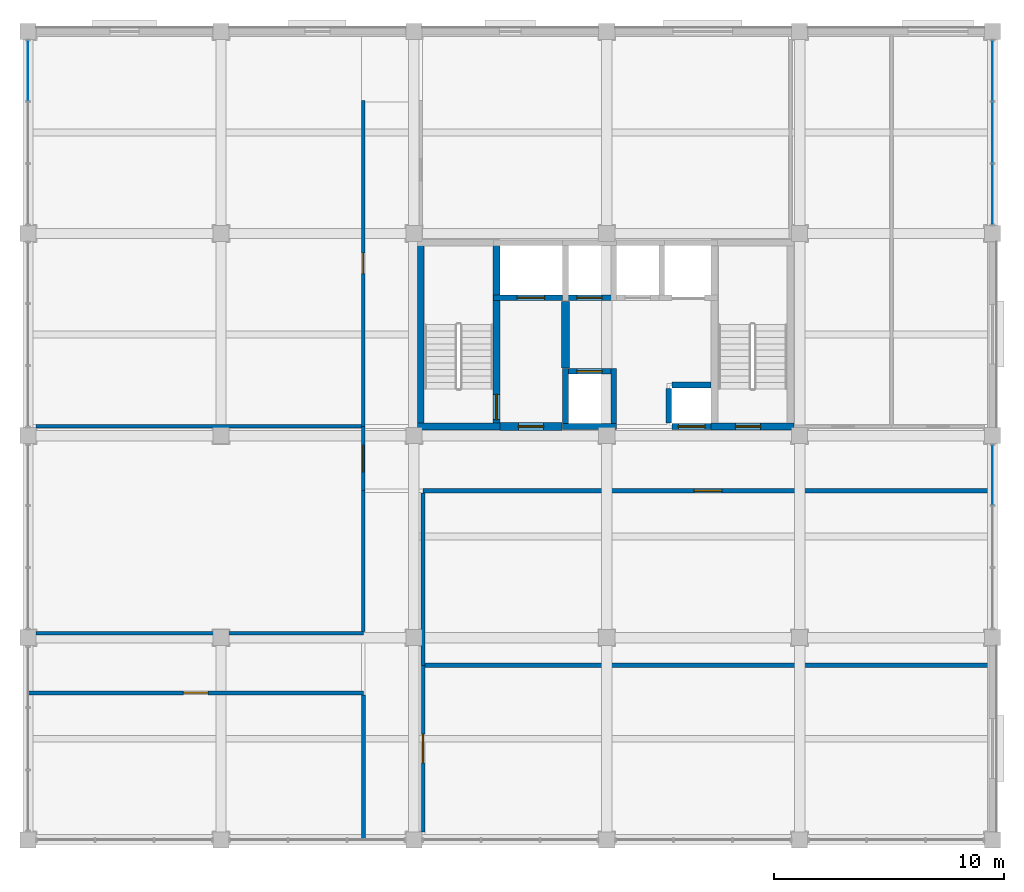
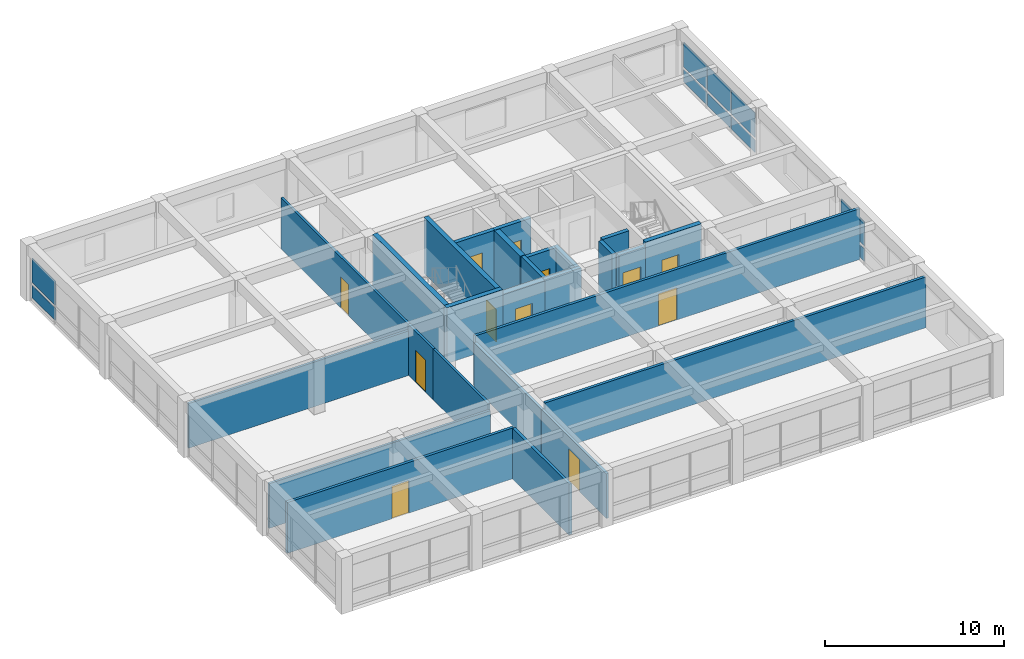
# One storey, part 9 of 13: 26 walls, 12 doors, 10 plates, 12 openings, 3 elements without a shape of their own.
"""IFC4 building model written with IfcOpenShell, lengths in metres."""

import ifcopenshell
import ifcopenshell.guid

model = None  # the IFC model being written
_history = None  # IfcOwnerHistory: only IFC2X3 demands one
_inside = {}  # id of a spatial element -> (the spatial element, [elements in it])
_under = {}  # id of a project, library or spatial element -> (it, [spatial elements below it])
_declared = {}  # id of a project -> (the project, [libraries it declares])
_typed = {}  # id of a type object -> (the type object, [elements of that type])
_made_of = {}  # id of a material, layer set ... -> (it, [elements and type objects made of it])


def new_model(schema):
    """Start an empty IFC model of exactly this schema.

    Asked for "IFC4X3", IfcOpenShell would pick the latest addendum, in which some entities
    have other attributes; the version numbers below select the first issue.
    IFC2X3 requires an IfcOwnerHistory on every rooted entity: one is made here for all.
    """
    global model, _history
    if schema == "IFC4X3":
        model = ifcopenshell.file(schema_version=(4, 3, 0, 0))
    else:
        model = ifcopenshell.file(schema=schema)
    _inside.clear()
    _under.clear()
    _declared.clear()
    _typed.clear()
    _made_of.clear()
    _history = None
    if model.schema == "IFC2X3":
        org = make("IfcOrganization", Name="unknown")
        user = make(
            "IfcPersonAndOrganization",
            ThePerson=make("IfcPerson", FamilyName="unknown"),
            TheOrganization=org,
        )
        app = make(
            "IfcApplication",
            ApplicationDeveloper=org,
            Version="unknown",
            ApplicationFullName="unknown",
            ApplicationIdentifier="unknown",
        )
        _history = make(
            "IfcOwnerHistory",
            OwningUser=user,
            OwningApplication=app,
            ChangeAction="ADDED",
            CreationDate=0,
        )
    return model


def make(cls, **values):
    """One entity of the class cls with the attributes given. An attribute that is None is left unset."""
    return model.create_entity(
        cls, **{name: value for name, value in values.items() if value is not None}
    )


def rooted(cls, **values):
    """An entity with a GlobalId (a new one), such as an element, a storey or a relation."""
    return make(cls, GlobalId=ifcopenshell.guid.new(), OwnerHistory=_history, **values)


def si_unit(unit_type, name, prefix=None):
    """IfcSIUnit, for example si_unit("LENGTHUNIT", "METRE", prefix="MILLI")."""
    return make("IfcSIUnit", UnitType=unit_type, Prefix=prefix, Name=name)


def assignment(units):
    """IfcUnitAssignment: the units of a project."""
    return None if units is None else make("IfcUnitAssignment", Units=units)


def point(xyz):
    """IfcCartesianPoint."""
    return None if xyz is None else make("IfcCartesianPoint", Coordinates=xyz)


def direction(xyz):
    """IfcDirection."""
    return None if xyz is None else make("IfcDirection", DirectionRatios=xyz)


def frame(location, z_axis=None, x_axis=None):
    """IfcAxis2Placement3D, a coordinate frame: its origin and axes. An axis left out is left unset."""
    return make(
        "IfcAxis2Placement3D",
        Location=point(location),
        Axis=direction(z_axis),
        RefDirection=direction(x_axis),
    )


def frame_2d(location, x_axis=None):
    """IfcAxis2Placement2D, a coordinate frame in the plane: its origin and x axis."""
    return make(
        "IfcAxis2Placement2D", Location=point(location), RefDirection=direction(x_axis)
    )


def origin():
    """The frame at (0, 0, 0) with its axes left unset."""
    return frame((0.0, 0.0, 0.0))


def origin_2d():
    """The frame at (0, 0) in the plane with its x axis left unset."""
    return frame_2d((0.0, 0.0))


def place(relative_to, where):
    """IfcLocalPlacement: puts the frame where relative to a parent placement (None: the world)."""
    return make(
        "IfcLocalPlacement", PlacementRelTo=relative_to, RelativePlacement=where
    )


def context(
    kind, dimensions, precision=None, world=None, true_north=None, identifier=None
):
    """IfcGeometricRepresentationContext, for example the 3D "Model" context."""
    return make(
        "IfcGeometricRepresentationContext",
        ContextIdentifier=identifier,
        ContextType=kind,
        CoordinateSpaceDimension=dimensions,
        Precision=precision,
        WorldCoordinateSystem=world,
        TrueNorth=true_north,
    )


def subcontext(parent, identifier, kind, view, scale=None):
    """IfcGeometricRepresentationSubContext, for example "Body" below "Model"."""
    return make(
        "IfcGeometricRepresentationSubContext",
        ContextIdentifier=identifier,
        ContextType=kind,
        ParentContext=parent,
        TargetScale=scale,
        TargetView=view,
    )


def project(units=None, contexts=None):
    """IfcProject with its units and contexts."""
    return rooted(
        "IfcProject",
        Name="project",
        RepresentationContexts=contexts,
        UnitsInContext=assignment(units),
    )


def spatial(cls, under=None, at=None, **own):
    """A site, building, storey or space (cls), placed at a placement, below another one or the project."""
    s = rooted(cls, ObjectPlacement=at, **own)
    if under is not None:
        _under.setdefault(under.id(), (under, []))[1].append(s)
    return s


def profile(cls, at=None, kind="AREA", **sizes):
    """A parametric profile (cls). Its sizes go by their IFC names, for example OverallWidth=200.0."""
    return make(cls, ProfileType=kind, Position=at, **sizes)


def rectangle(**sizes):
    """IfcRectangleProfileDef."""
    return profile("IfcRectangleProfileDef", **sizes)


def extrude(swept, where, along, depth):
    """IfcExtrudedAreaSolid: the profile swept, set in the frame where, extruded along a direction by depth."""
    return make(
        "IfcExtrudedAreaSolid",
        SweptArea=swept,
        Position=where,
        ExtrudedDirection=direction(along),
        Depth=depth,
    )


def shape(context_of_items, identifier, shape_type, items):
    """IfcShapeRepresentation: the items that make up one representation, for example the "Body"."""
    return make(
        "IfcShapeRepresentation",
        ContextOfItems=context_of_items,
        RepresentationIdentifier=identifier,
        RepresentationType=shape_type,
        Items=items,
    )


def material(Name=None, Category=None):
    """IfcMaterial."""
    return make("IfcMaterial", Name=Name, Category=Category)


def layer(
    of_material, thickness, ventilated=None, Name=None, Category=None, Priority=None
):
    """IfcMaterialLayer: one layer of a wall or slab, of a material (None: an air gap)."""
    return make(
        "IfcMaterialLayer",
        Material=of_material,
        LayerThickness=thickness,
        IsVentilated=ventilated,
        Name=Name,
        Category=Category,
        Priority=Priority,
    )


def layer_set(layers, Name=None):
    """IfcMaterialLayerSet."""
    return make("IfcMaterialLayerSet", MaterialLayers=layers, LayerSetName=Name)


def made_of(thing, what):
    """Note that an element or type object is made of a material, layer set ...; save() writes the relation."""
    if what is not None:
        _made_of.setdefault(what.id(), (what, []))[1].append(thing)
    return thing


def type_object(cls, material=None, **own):
    """A type object (cls), such as IfcWallType, which elements share."""
    return made_of(rooted(cls, **own), material)


def element(
    cls,
    number,
    at=None,
    inside=None,
    cuts=None,
    type_object=None,
    material=None,
    context=None,
    identifier="Body",
    shape_type=None,
    held_by="IfcProductDefinitionShape",
    body=None,
    shapes=None,
    **own,
):
    """One element of the class cls, such as IfcWall. Its Tag is "e" and its number.

    at: its placement. inside: the storey or other place that contains it. cuts: it is an
    opening in that element (IfcRelVoidsElement). A single representation is given by context,
    identifier, shape_type and body (its items); several are given by shapes. held_by: the class
    of the entity that holds the representations. save() writes the other relations.
    """
    e = rooted(cls, Tag="e%d" % number, ObjectPlacement=at, **own)
    if body is not None:
        shapes = [shape(context, identifier, shape_type, body)]
    if shapes is not None:
        e.Representation = make(held_by, Representations=shapes)
    if inside is not None:
        _inside.setdefault(inside.id(), (inside, []))[1].append(e)
    if cuts is not None:
        rooted(
            "IfcRelVoidsElement", RelatingBuildingElement=cuts, RelatedOpeningElement=e
        )
    if type_object is not None:
        _typed.setdefault(type_object.id(), (type_object, []))[1].append(e)
    return made_of(e, material)


def fill(opening, filler):
    """IfcRelFillsElement: the door or window that sits in an opening."""
    return rooted(
        "IfcRelFillsElement",
        RelatingOpeningElement=opening,
        RelatedBuildingElement=filler,
    )


def aggregate(whole, parts):
    """IfcRelAggregates: a whole, such as a stair, and the parts it consists of."""
    return rooted("IfcRelAggregates", RelatingObject=whole, RelatedObjects=parts)


def save(model, path):
    """Write the relations noted so far, then the file.

    IfcRelAggregates (storeys below a building ...), IfcRelContainedInSpatialStructure (elements
    in a storey), IfcRelDefinesByType, IfcRelAssociatesMaterial and IfcRelDeclares: one each for
    every whole, place, type object, material and project.
    """
    for whole, parts in _under.values():
        aggregate(whole, parts)
    for where, things in _inside.values():
        rooted(
            "IfcRelContainedInSpatialStructure",
            RelatedElements=things,
            RelatingStructure=where,
        )
    for kind, things in _typed.values():
        rooted("IfcRelDefinesByType", RelatedObjects=things, RelatingType=kind)
    for what, things in _made_of.values():
        rooted("IfcRelAssociatesMaterial", RelatedObjects=things, RelatingMaterial=what)
    for by, libraries in _declared.values():
        rooted("IfcRelDeclares", RelatingContext=by, RelatedDefinitions=libraries)
    model.write(path)


model = new_model("IFC4")

# Units and contexts
model_context = context("Model", 3, precision=1e-05, world=origin(), true_north=direction((0.0, 1.0)))
body_context = subcontext(model_context, "Body", "Model", "MODEL_VIEW")
ifc_project = project(units=[si_unit("LENGTHUNIT", "METRE"), si_unit("AREAUNIT", "SQUARE_METRE"), si_unit("VOLUMEUNIT", "CUBIC_METRE"), si_unit("PLANEANGLEUNIT", "RADIAN"), si_unit("MASSUNIT", "GRAM", prefix="KILO")], contexts=[model_context])

# Site, building, storey
site_placement = place(None, origin())
site = spatial("IfcSite", under=ifc_project, at=site_placement, CompositionType="ELEMENT")
building_placement = place(site_placement, origin())
building = spatial("IfcBuilding", under=site, at=building_placement, Name="Kemercrest Conservatory and Botanical Centre", CompositionType="ELEMENT")
storey_placement = place(building_placement, frame((0.0, 0.0, 36.800048828125)))
storey = spatial("IfcBuildingStorey", under=building, at=storey_placement, Name="L09", CompositionType="ELEMENT", Elevation=36.800048828125)

# Curtain wall, plates
ifc_material_1 = material(Name="Thermally broken aluminium and triple low-e glazing", Category="aluminium")
curtain_wall_type_1 = type_object("IfcCurtainWallType", Name="CW-16", PredefinedType="USERDEFINED", material=ifc_material_1)
curtain_wall_1_placement = place(storey_placement, origin())
curtain_wall_1 = element("IfcCurtainWall", 1, at=curtain_wall_1_placement, inside=storey, type_object=curtain_wall_type_1, Name="Unitised curtain wall CW-16 (CW:L09:V4-105)", ObjectType="UNITISED CURTAIN WALL", PredefinedType="USERDEFINED")
ifc_material_2 = material(Name="Triple low-e argon insulated glazing unit", Category="glass")
ifc_layer_1 = layer(ifc_material_2, 0.035888671875)
ifc_layer_set_1 = layer_set([ifc_layer_1], Name="Triple low-e argon insulated glazing unit")
plate_type = type_object("IfcPlateType", Name="CW-PNL036", PredefinedType="CURTAIN_PANEL", material=ifc_layer_set_1)
plate_1_placement = place(storey_placement, frame((176.0, 103.087158203125, 0.179931640625), z_axis=(0.0, 0.0, 1.0), x_axis=(0.0, 1.0, 0.0)))
plate_1 = element("IfcPlate", 2, at=plate_1_placement, type_object=plate_type, Name="CW-16 panel 3.1", PredefinedType="CURTAIN_PANEL", context=body_context, shape_type="SweptSolid", body=[
    extrude(rectangle(XDim=2.605712890625, YDim=0.035888671875, at=origin_2d()), origin(), (0.0, 0.0, 1.0), 0.85009765625),
])
plate_2_placement = place(storey_placement, frame((176.0, 103.087158203125, 1.2099609375), z_axis=(0.0, 0.0, 1.0), x_axis=(0.0, 1.0, 0.0)))
plate_2 = element("IfcPlate", 3, at=plate_2_placement, type_object=plate_type, Name="CW-16 panel 3.2", PredefinedType="CURTAIN_PANEL", context=body_context, shape_type="SweptSolid", body=[
    extrude(rectangle(XDim=2.605712890625, YDim=0.035888671875, at=origin_2d()), origin(), (0.0, 0.0, 1.0), 1.6650390625),
])
aggregate(curtain_wall_1, [plate_1, plate_2])

curtain_wall_type_2 = type_object("IfcCurtainWallType", Name="CW-17", PredefinedType="USERDEFINED", material=ifc_material_1)
curtain_wall_2_placement = place(storey_placement, origin())
curtain_wall_2 = element("IfcCurtainWall", 4, at=curtain_wall_2_placement, inside=storey, type_object=curtain_wall_type_2, Name="Unitised curtain wall CW-17 (CW:L09:V4-106)", ObjectType="UNITISED CURTAIN WALL", PredefinedType="USERDEFINED")
plate_3_placement = place(storey_placement, frame((176.0, 115.31298828125, 0.179931640625), z_axis=(0.0, 0.0, 1.0), x_axis=(0.0, 1.0, 0.0)))
plate_3 = element("IfcPlate", 5, at=plate_3_placement, type_object=plate_type, Name="CW-17 panel 1.1", PredefinedType="CURTAIN_PANEL", context=body_context, shape_type="SweptSolid", body=[
    extrude(rectangle(XDim=2.605712890625, YDim=0.035888671875, at=origin_2d()), origin(), (0.0, 0.0, 1.0), 0.85009765625),
])
plate_4_placement = place(storey_placement, frame((176.0, 115.31298828125, 1.2099609375), z_axis=(0.0, 0.0, 1.0), x_axis=(0.0, 1.0, 0.0)))
plate_4 = element("IfcPlate", 6, at=plate_4_placement, type_object=plate_type, Name="CW-17 panel 1.2", PredefinedType="CURTAIN_PANEL", context=body_context, shape_type="SweptSolid", body=[
    extrude(rectangle(XDim=2.605712890625, YDim=0.035888671875, at=origin_2d()), origin(), (0.0, 0.0, 1.0), 1.6650390625),
])
plate_5_placement = place(storey_placement, frame((176.0, 118.0, 0.179931640625), z_axis=(0.0, 0.0, 1.0), x_axis=(0.0, 1.0, 0.0)))
plate_5 = element("IfcPlate", 7, at=plate_5_placement, type_object=plate_type, Name="CW-17 panel 2.1", PredefinedType="CURTAIN_PANEL", context=body_context, shape_type="SweptSolid", body=[
    extrude(rectangle(XDim=2.638427734375, YDim=0.035888671875, at=origin_2d()), origin(), (0.0, 0.0, 1.0), 0.85009765625),
])
plate_6_placement = place(storey_placement, frame((176.0, 118.0, 1.2099609375), z_axis=(0.0, 0.0, 1.0), x_axis=(0.0, 1.0, 0.0)))
plate_6 = element("IfcPlate", 8, at=plate_6_placement, type_object=plate_type, Name="CW-17 panel 2.2", PredefinedType="CURTAIN_PANEL", context=body_context, shape_type="SweptSolid", body=[
    extrude(rectangle(XDim=2.638427734375, YDim=0.035888671875, at=origin_2d()), origin(), (0.0, 0.0, 1.0), 1.6650390625),
])
plate_7_placement = place(storey_placement, frame((176.0, 120.68701171875, 0.179931640625), z_axis=(0.0, 0.0, 1.0), x_axis=(0.0, 1.0, 0.0)))
plate_7 = element("IfcPlate", 9, at=plate_7_placement, type_object=plate_type, Name="CW-17 panel 3.1", PredefinedType="CURTAIN_PANEL", context=body_context, shape_type="SweptSolid", body=[
    extrude(rectangle(XDim=2.605712890625, YDim=0.035888671875, at=origin_2d()), origin(), (0.0, 0.0, 1.0), 0.85009765625),
])
plate_8_placement = place(storey_placement, frame((176.0, 120.68701171875, 1.2099609375), z_axis=(0.0, 0.0, 1.0), x_axis=(0.0, 1.0, 0.0)))
plate_8 = element("IfcPlate", 10, at=plate_8_placement, type_object=plate_type, Name="CW-17 panel 3.2", PredefinedType="CURTAIN_PANEL", context=body_context, shape_type="SweptSolid", body=[
    extrude(rectangle(XDim=2.605712890625, YDim=0.035888671875, at=origin_2d()), origin(), (0.0, 0.0, 1.0), 1.6650390625),
])
aggregate(curtain_wall_2, [plate_3, plate_4, plate_5, plate_6, plate_7, plate_8])

curtain_wall_type_3 = type_object("IfcCurtainWallType", Name="CW-18", PredefinedType="USERDEFINED", material=ifc_material_1)
curtain_wall_3_placement = place(storey_placement, origin())
curtain_wall_3 = element("IfcCurtainWall", 11, at=curtain_wall_3_placement, inside=storey, type_object=curtain_wall_type_3, Name="Unitised curtain wall CW-18 (CW:L09:V4-107)", ObjectType="UNITISED CURTAIN WALL", PredefinedType="USERDEFINED")
plate_9_placement = place(storey_placement, frame((134.0, 120.68701171875, 0.179931640625), z_axis=(0.0, 0.0, 1.0), x_axis=(0.0, -1.0, 0.0)))
plate_9 = element("IfcPlate", 12, at=plate_9_placement, type_object=plate_type, Name="CW-18 panel 1.1", PredefinedType="CURTAIN_PANEL", context=body_context, shape_type="SweptSolid", body=[
    extrude(rectangle(XDim=2.605712890625, YDim=0.035888671875, at=origin_2d()), origin(), (0.0, 0.0, 1.0), 0.85009765625),
])
plate_10_placement = place(storey_placement, frame((134.0, 120.68701171875, 1.2099609375), z_axis=(0.0, 0.0, 1.0), x_axis=(0.0, -1.0, 0.0)))
plate_10 = element("IfcPlate", 13, at=plate_10_placement, type_object=plate_type, Name="CW-18 panel 1.2", PredefinedType="CURTAIN_PANEL", context=body_context, shape_type="SweptSolid", body=[
    extrude(rectangle(XDim=2.605712890625, YDim=0.035888671875, at=origin_2d()), origin(), (0.0, 0.0, 1.0), 1.6650390625),
])
aggregate(curtain_wall_3, [plate_9, plate_10])

# Wall
ifc_material_3 = material(Name="Concrete C50/60", Category="concrete")
ifc_layer_2 = layer(ifc_material_3, 0.35009765625)
ifc_layer_set_2 = layer_set([ifc_layer_2], Name="Concrete C50/60")
wall_type_1 = type_object("IfcWallType", Name="CW-CORE", PredefinedType="SHEAR", material=ifc_layer_set_2)
wall_1_placement = place(storey_placement, frame((157.39990234375, 107.75, 0.0), z_axis=(0.0, 0.0, 1.0), x_axis=(0.0, 1.0, 0.0)))
element("IfcWall", 14, at=wall_1_placement, inside=storey, type_object=wall_type_1, Name="Firefighting lift lobby 2-hour separation shear wall", PredefinedType="SHEAR", context=body_context, shape_type="SweptSolid", body=[
    extrude(rectangle(XDim=2.89990234375, YDim=0.35009765625, at=frame_2d((1.449951171875, 0.0))), origin(), (0.0, 0.0, 1.0), 3.47998046875),
])

# Wall, opening, door
wall_2_placement = place(storey_placement, frame((154.550048828125, 105.199951171875, 0.0), z_axis=(0.0, 0.0, 1.0), x_axis=(1.0, 0.0, 0.0)))
wall_2 = element("IfcWall", 15, at=wall_2_placement, inside=storey, type_object=wall_type_1, Name="Firefighting lift lobby south shear wall", PredefinedType="SHEAR", context=body_context, shape_type="SweptSolid", body=[
    extrude(rectangle(XDim=2.699951171875, YDim=0.35009765625, at=frame_2d((1.35009765625, 0.0))), origin(), (0.0, 0.0, 1.0), 3.47998046875),
])
opening_1_placement = place(wall_2_placement, frame((0.800048828125, 0.0, 0.0)))
opening_1 = element("IfcOpeningElement", 16, at=opening_1_placement, cuts=wall_2, Name="Opening D089", PredefinedType="OPENING", context=body_context, shape_type="SweptSolid", body=[
    extrude(rectangle(XDim=1.10009765625, YDim=2.199951171875, at=frame_2d((0.550048828125, 1.10009765625))), frame((0.0, 0.18505859375, 0.0), z_axis=(0.0, -1.0, 0.0), x_axis=(1.0, 0.0, 0.0)), (0.0, 0.0, 1.0), 0.3701171875),
])
ifc_material_4 = material(Name="Powder-coated galvanized steel and fire-rated vision glass", Category="steel")
door_type_1 = type_object("IfcDoorType", Name="DT-FD90", OperationType="NOTDEFINED", PredefinedType="DOOR", material=ifc_material_4)
door_1_placement = place(opening_1_placement, origin())
door_1 = element("IfcDoor", 17, at=door_1_placement, inside=storey, type_object=door_type_1, Name="Firefighting lift lobby corridor fire door D089", OperationType="SINGLE_SWING_LEFT", OverallHeight=2.199951171875, OverallWidth=1.10009765625, PredefinedType="DOOR", context=body_context, shape_type="SweptSolid", body=[
    extrude(rectangle(XDim=1.10009765625, YDim=2.199951171875, at=frame_2d((0.550048828125, 1.10009765625))), frame((0.0, 0.02490234375, 0.0), z_axis=(0.0, -1.0, 0.0), x_axis=(1.0, 0.0, 0.0)), (0.0, 0.0, 1.0), 0.050048828125),
])
fill(opening_1, door_1)

# Walls
ifc_layer_3 = layer(ifc_material_3, 0.300048828125)
ifc_layer_set_3 = layer_set([ifc_layer_3], Name="Concrete C50/60")
wall_type_2 = type_object("IfcWallType", Name="CW-STAIR", PredefinedType="SHEAR", material=ifc_layer_set_3)
wall_3_placement = place(storey_placement, frame((150.949951171875, 105.199951171875, 0.0), z_axis=(0.0, 0.0, 1.0), x_axis=(1.0, 0.0, 0.0)))
element("IfcWall", 18, at=wall_3_placement, inside=storey, type_object=wall_type_2, Name="Stair core ST-V4A shear wall S", PredefinedType="SHEAR", context=body_context, shape_type="SweptSolid", body=[
    extrude(rectangle(XDim=3.60009765625, YDim=0.300048828125, at=frame_2d((1.800048828125, 0.0))), origin(), (0.0, 0.0, 1.0), 3.800048828125),
])
wall_4_placement = place(storey_placement, frame((151.10009765625, 105.050048828125, 0.0), z_axis=(0.0, 0.0, 1.0), x_axis=(0.0, 1.0, 0.0)))
element("IfcWall", 19, at=wall_4_placement, inside=storey, type_object=wall_type_2, Name="Stair core ST-V4A shear wall W", PredefinedType="SHEAR", context=body_context, shape_type="SweptSolid", body=[
    extrude(rectangle(XDim=8.300048828125, YDim=0.300048828125, at=frame_2d((4.14990234375, 0.0))), origin(), (0.0, 0.0, 1.0), 3.800048828125),
])

# Wall, opening, door
wall_5_placement = place(storey_placement, frame((154.39990234375, 105.050048828125, 0.0), z_axis=(0.0, 0.0, 1.0), x_axis=(0.0, 1.0, 0.0)))
wall_5 = element("IfcWall", 20, at=wall_5_placement, inside=storey, type_object=wall_type_2, Name="Stair core ST-V4A shear wall E", PredefinedType="SHEAR", context=body_context, shape_type="SweptSolid", body=[
    extrude(rectangle(XDim=8.300048828125, YDim=0.300048828125, at=frame_2d((4.14990234375, 0.0))), origin(), (0.0, 0.0, 1.0), 3.800048828125),
])
opening_2_placement = place(wall_5_placement, frame((0.449951171875, 0.0, 0.0)))
opening_2 = element("IfcOpeningElement", 21, at=opening_2_placement, cuts=wall_5, Name="Opening D035", PredefinedType="OPENING", context=body_context, shape_type="SweptSolid", body=[
    extrude(rectangle(XDim=1.10009765625, YDim=2.199951171875, at=frame_2d((0.550048828125, 1.10009765625))), frame((0.0, 0.16015625, 0.0), z_axis=(0.0, -1.0, 0.0), x_axis=(1.0, 0.0, 0.0)), (0.0, 0.0, 1.0), 0.320068359375),
])
door_2_placement = place(opening_2_placement, frame((1.10009765625, 0.0, 0.0), z_axis=(0.0, 0.0, 1.0), x_axis=(-1.0, 0.0, 0.0)))
door_2 = element("IfcDoor", 22, at=door_2_placement, inside=storey, type_object=door_type_1, Name="Exit stair ST-V4A fire door D035", OperationType="SINGLE_SWING_LEFT", OverallHeight=2.199951171875, OverallWidth=1.10009765625, PredefinedType="DOOR", context=body_context, shape_type="SweptSolid", body=[
    extrude(rectangle(XDim=1.10009765625, YDim=2.199951171875, at=frame_2d((0.550048828125, 1.10009765625))), frame((0.0, 0.02490234375, 0.0), z_axis=(0.0, -1.0, 0.0), x_axis=(1.0, 0.0, 0.0)), (0.0, 0.0, 1.0), 0.050048828125),
])
fill(opening_2, door_2)

wall_6_placement = place(storey_placement, frame((163.75, 105.199951171875, 0.0), z_axis=(0.0, 0.0, 1.0), x_axis=(1.0, 0.0, 0.0)))
wall_6 = element("IfcWall", 23, at=wall_6_placement, inside=storey, type_object=wall_type_2, Name="Stair core ST-V4B shear wall S", PredefinedType="SHEAR", context=body_context, shape_type="SweptSolid", body=[
    extrude(rectangle(XDim=3.60009765625, YDim=0.300048828125, at=frame_2d((1.800048828125, 0.0))), origin(), (0.0, 0.0, 1.0), 3.800048828125),
])
opening_3_placement = place(wall_6_placement, frame((1.050048828125, 0.0, 0.0)))
opening_3 = element("IfcOpeningElement", 24, at=opening_3_placement, cuts=wall_6, Name="Opening D054", PredefinedType="OPENING", context=body_context, shape_type="SweptSolid", body=[
    extrude(rectangle(XDim=1.10009765625, YDim=2.199951171875, at=frame_2d((0.550048828125, 1.10009765625))), frame((0.0, 0.16015625, 0.0), z_axis=(0.0, -1.0, 0.0), x_axis=(1.0, 0.0, 0.0)), (0.0, 0.0, 1.0), 0.320068359375),
])
door_3_placement = place(opening_3_placement, origin())
door_3 = element("IfcDoor", 25, at=door_3_placement, inside=storey, type_object=door_type_1, Name="Exit stair ST-V4B fire door D054", OperationType="SINGLE_SWING_RIGHT", OverallHeight=2.199951171875, OverallWidth=1.10009765625, PredefinedType="DOOR", context=body_context, shape_type="SweptSolid", body=[
    extrude(rectangle(XDim=1.10009765625, YDim=2.199951171875, at=frame_2d((0.550048828125, 1.10009765625))), frame((0.0, 0.02490234375, 0.0), z_axis=(0.0, -1.0, 0.0), x_axis=(1.0, 0.0, 0.0)), (0.0, 0.0, 1.0), 0.050048828125),
])
fill(opening_3, door_3)

ifc_material_5 = material(Name="Steel-stud gypsum board partition", Category="steel")
ifc_layer_4 = layer(ifc_material_5, 0.14990234375)
ifc_layer_set_4 = layer_set([ifc_layer_4], Name="Steel-stud gypsum board partition")
wall_type_3 = type_object("IfcWallType", Name="W-PART150", PredefinedType="PARTITIONING", material=ifc_layer_set_4)
wall_7_placement = place(storey_placement, frame((148.60009765625, 102.39990234375, 0.0), z_axis=(0.0, 0.0, 1.0), x_axis=(0.0, 1.0, 0.0)))
wall_7 = element("IfcWall", 26, at=wall_7_placement, inside=storey, type_object=wall_type_3, Name="Interior partition W-PART150 #226", PredefinedType="PARTITIONING", context=body_context, shape_type="SweptSolid", body=[
    extrude(rectangle(XDim=2.800048828125, YDim=0.14990234375, at=frame_2d((1.39990234375, 0.0))), origin(), (0.0, 0.0, 1.0), 3.46484375),
])
opening_4_placement = place(wall_7_placement, frame((0.820068359375, 0.0, 0.0)))
opening_4 = element("IfcOpeningElement", 27, at=opening_4_placement, cuts=wall_7, Name="Opening D234", PredefinedType="OPENING", context=body_context, shape_type="SweptSolid", body=[
    extrude(rectangle(XDim=1.159912109375, YDim=2.199951171875, at=frame_2d((0.580078125, 1.10009765625))), frame((0.0, 0.0849609375, 0.0), z_axis=(0.0, -1.0, 0.0), x_axis=(1.0, 0.0, 0.0)), (0.0, 0.0, 1.0), 0.169921875),
])
ifc_material_6 = material(Name="FSC solid-core white oak veneer and anodized aluminium frame", Category="aluminium")
door_type_2 = type_object("IfcDoorType", Name="DT-05", OperationType="NOTDEFINED", PredefinedType="DOOR", material=ifc_material_6)
door_4_placement = place(opening_4_placement, origin())
door_4 = element("IfcDoor", 28, at=door_4_placement, inside=storey, type_object=door_type_2, Name="Research Winter Garden door D234", OperationType="SINGLE_SWING_RIGHT", OverallHeight=2.199951171875, OverallWidth=1.159912109375, PredefinedType="DOOR", context=body_context, shape_type="SweptSolid", body=[
    extrude(rectangle(XDim=1.159912109375, YDim=2.199951171875, at=frame_2d((0.580078125, 1.10009765625))), frame((0.0, 0.02490234375, 0.0), z_axis=(0.0, -1.0, 0.0), x_axis=(1.0, 0.0, 0.0)), (0.0, 0.0, 1.0), 0.050048828125),
])
fill(opening_4, door_4)

# Walls
wall_8_placement = place(storey_placement, frame((134.35009765625, 96.199951171875, 0.0), z_axis=(0.0, 0.0, 1.0), x_axis=(1.0, 0.0, 0.0)))
element("IfcWall", 29, at=wall_8_placement, inside=storey, type_object=wall_type_3, Name="Interior partition W-PART150 #230", PredefinedType="PARTITIONING", context=body_context, shape_type="SweptSolid", body=[
    extrude(rectangle(XDim=14.25, YDim=0.14990234375, at=frame_2d((7.125, 0.0))), origin(), (0.0, 0.0, 1.0), 3.044921875),
])
wall_9_placement = place(storey_placement, frame((148.60009765625, 96.280029296875, 0.0), z_axis=(0.0, 0.0, 1.0), x_axis=(0.0, 1.0, 0.0)))
element("IfcWall", 30, at=wall_9_placement, inside=storey, type_object=wall_type_3, Name="Interior partition W-PART150 #232", PredefinedType="PARTITIONING", context=body_context, shape_type="SweptSolid", body=[
    extrude(rectangle(XDim=6.119873046875, YDim=0.14990234375, at=frame_2d((3.06005859375, 0.0))), origin(), (0.0, 0.0, 1.0), 3.46484375),
])

# Wall, opening, door
wall_10_placement = place(storey_placement, frame((151.199951171875, 87.550048828125, 0.0), z_axis=(0.0, 0.0, 1.0), x_axis=(0.0, 1.0, 0.0)))
wall_10 = element("IfcWall", 31, at=wall_10_placement, inside=storey, type_object=wall_type_3, Name="Interior partition W-PART150 #235", PredefinedType="PARTITIONING", context=body_context, shape_type="SweptSolid", body=[
    extrude(rectangle(XDim=7.25, YDim=0.14990234375, at=frame_2d((3.625, 0.0))), origin(), (0.0, 0.0, 1.0), 3.044921875),
])
opening_5_placement = place(wall_10_placement, frame((3.0, 0.0, 0.0)))
opening_5 = element("IfcOpeningElement", 32, at=opening_5_placement, cuts=wall_10, Name="Opening D239", PredefinedType="OPENING", context=body_context, shape_type="SweptSolid", body=[
    extrude(rectangle(XDim=1.25, YDim=2.179931640625, at=frame_2d((0.625, 1.08984375))), frame((0.0, 0.0849609375, 0.0), z_axis=(0.0, -1.0, 0.0), x_axis=(1.0, 0.0, 0.0)), (0.0, 0.0, 1.0), 0.169921875),
])
door_type_3 = type_object("IfcDoorType", Name="DT-19", OperationType="NOTDEFINED", PredefinedType="DOOR", material=ifc_material_6)
door_5_placement = place(opening_5_placement, origin())
door_5 = element("IfcDoor", 33, at=door_5_placement, inside=storey, type_object=door_type_3, Name="Bio-Imaging Studio door D239", OperationType="SINGLE_SWING_LEFT", OverallHeight=2.179931640625, OverallWidth=1.25, PredefinedType="DOOR", context=body_context, shape_type="SweptSolid", body=[
    extrude(rectangle(XDim=1.25, YDim=2.179931640625, at=frame_2d((0.625, 1.08984375))), frame((0.0, 0.02490234375, 0.0), z_axis=(0.0, -1.0, 0.0), x_axis=(1.0, 0.0, 0.0)), (0.0, 0.0, 1.0), 0.050048828125),
])
fill(opening_5, door_5)

wall_11_placement = place(storey_placement, frame((148.60009765625, 105.199951171875, 0.0), z_axis=(0.0, 0.0, 1.0), x_axis=(0.0, 1.0, 0.0)))
wall_11 = element("IfcWall", 34, at=wall_11_placement, inside=storey, type_object=wall_type_3, Name="Interior partition W-PART150 #236", PredefinedType="PARTITIONING", context=body_context, shape_type="SweptSolid", body=[
    extrude(rectangle(XDim=14.199951171875, YDim=0.14990234375, at=frame_2d((7.10009765625, 0.0))), origin(), (0.0, 0.0, 1.0), 3.46484375),
])
opening_6_placement = place(wall_11_placement, frame((6.64990234375, 0.0, 0.0)))
opening_6 = element("IfcOpeningElement", 35, at=opening_6_placement, cuts=wall_11, Name="Opening D240", PredefinedType="OPENING", context=body_context, shape_type="SweptSolid", body=[
    extrude(rectangle(XDim=0.89990234375, YDim=2.1201171875, at=frame_2d((0.449951171875, 1.06005859375))), frame((0.0, 0.0849609375, 0.0), z_axis=(0.0, -1.0, 0.0), x_axis=(1.0, 0.0, 0.0)), (0.0, 0.0, 1.0), 0.169921875),
])
door_type_4 = type_object("IfcDoorType", Name="DT-21", OperationType="NOTDEFINED", PredefinedType="DOOR", material=ifc_material_6)
door_6_placement = place(opening_6_placement, origin())
door_6 = element("IfcDoor", 36, at=door_6_placement, inside=storey, type_object=door_type_4, Name="Bioinformatics Studio door D240", OperationType="SINGLE_SWING_RIGHT", OverallHeight=2.1201171875, OverallWidth=0.89990234375, PredefinedType="DOOR", context=body_context, shape_type="SweptSolid", body=[
    extrude(rectangle(XDim=0.89990234375, YDim=2.1201171875, at=frame_2d((0.449951171875, 1.06005859375))), frame((0.0, 0.02490234375, 0.0), z_axis=(0.0, -1.0, 0.0), x_axis=(1.0, 0.0, 0.0)), (0.0, 0.0, 1.0), 0.050048828125),
])
fill(opening_6, door_6)

# Wall
wall_12_placement = place(storey_placement, frame((134.35009765625, 105.199951171875, 0.0), z_axis=(0.0, 0.0, 1.0), x_axis=(1.0, 0.0, 0.0)))
element("IfcWall", 37, at=wall_12_placement, inside=storey, type_object=wall_type_3, Name="Interior partition W-PART150 #238", PredefinedType="PARTITIONING", context=body_context, shape_type="SweptSolid", body=[
    extrude(rectangle(XDim=14.169921875, YDim=0.14990234375, at=frame_2d((7.0849609375, 0.0))), origin(), (0.0, 0.0, 1.0), 3.044921875),
])

# Wall, opening, door
ifc_material_7 = material(Name="Acoustic steel-stud gypsum board assembly", Category="steel")
ifc_layer_5 = layer(ifc_material_7, 0.179931640625)
ifc_layer_set_5 = layer_set([ifc_layer_5], Name="Acoustic steel-stud gypsum board assembly")
wall_type_4 = type_object("IfcWallType", Name="W-PART180", PredefinedType="PARTITIONING", material=ifc_layer_set_5)
wall_13_placement = place(storey_placement, frame((151.199951171875, 102.39990234375, 0.0), z_axis=(0.0, 0.0, 1.0), x_axis=(1.0, 0.0, 0.0)))
wall_13 = element("IfcWall", 38, at=wall_13_placement, inside=storey, type_object=wall_type_4, Name="Interior partition W-PART180 #227", PredefinedType="PARTITIONING", context=body_context, shape_type="SweptSolid", body=[
    extrude(rectangle(XDim=24.800048828125, YDim=0.179931640625, at=frame_2d((12.39990234375, 0.0))), origin(), (0.0, 0.0, 1.0), 3.46484375),
])
opening_7_placement = place(wall_13_placement, frame((11.7900390625, 0.0, 0.0)))
opening_7 = element("IfcOpeningElement", 39, at=opening_7_placement, cuts=wall_13, Name="Opening D235", PredefinedType="OPENING", context=body_context, shape_type="SweptSolid", body=[
    extrude(rectangle(XDim=1.219970703125, YDim=2.199951171875, at=frame_2d((0.60986328125, 1.10009765625))), frame((0.0, 0.10009765625, 0.0), z_axis=(0.0, -1.0, 0.0), x_axis=(1.0, 0.0, 0.0)), (0.0, 0.0, 1.0), 0.199951171875),
])
door_type_5 = type_object("IfcDoorType", Name="DT-06", OperationType="NOTDEFINED", PredefinedType="DOOR", material=ifc_material_6)
door_7_placement = place(opening_7_placement, origin())
door_7 = element("IfcDoor", 40, at=door_7_placement, inside=storey, type_object=door_type_5, Name="Molecular Botany Laboratory door D235", OperationType="SINGLE_SWING_LEFT", OverallHeight=2.199951171875, OverallWidth=1.219970703125, PredefinedType="DOOR", context=body_context, shape_type="SweptSolid", body=[
    extrude(rectangle(XDim=1.219970703125, YDim=2.199951171875, at=frame_2d((0.60986328125, 1.10009765625))), frame((0.0, 0.02490234375, 0.0), z_axis=(0.0, -1.0, 0.0), x_axis=(1.0, 0.0, 0.0)), (0.0, 0.0, 1.0), 0.050048828125),
])
fill(opening_7, door_7)

wall_14_placement = place(storey_placement, frame((134.0, 93.60009765625, 0.0), z_axis=(0.0, 0.0, 1.0), x_axis=(1.0, 0.0, 0.0)))
wall_14 = element("IfcWall", 41, at=wall_14_placement, inside=storey, type_object=wall_type_4, Name="Interior partition W-PART180 #231", PredefinedType="PARTITIONING", context=body_context, shape_type="SweptSolid", body=[
    extrude(rectangle(XDim=14.60009765625, YDim=0.179931640625, at=frame_2d((7.300048828125, 0.0))), origin(), (0.0, 0.0, 1.0), 3.46484375),
])
opening_8_placement = place(wall_14_placement, frame((6.760009765625, 0.0, 0.0)))
opening_8 = element("IfcOpeningElement", 42, at=opening_8_placement, cuts=wall_14, Name="Opening D238", PredefinedType="OPENING", context=body_context, shape_type="SweptSolid", body=[
    extrude(rectangle(XDim=1.080078125, YDim=2.219970703125, at=frame_2d((0.5400390625, 1.10986328125))), frame((0.0, 0.10009765625, 0.0), z_axis=(0.0, -1.0, 0.0), x_axis=(1.0, 0.0, 0.0)), (0.0, 0.0, 1.0), 0.199951171875),
])
door_type_6 = type_object("IfcDoorType", Name="DT-18", OperationType="NOTDEFINED", PredefinedType="DOOR", material=ifc_material_6)
door_8_placement = place(opening_8_placement, origin())
door_8 = element("IfcDoor", 43, at=door_8_placement, inside=storey, type_object=door_type_6, Name="Genomics Research Laboratory door D238", OperationType="SINGLE_SWING_RIGHT", OverallHeight=2.219970703125, OverallWidth=1.080078125, PredefinedType="DOOR", context=body_context, shape_type="SweptSolid", body=[
    extrude(rectangle(XDim=1.080078125, YDim=2.219970703125, at=frame_2d((0.5400390625, 1.10986328125))), frame((0.0, 0.02490234375, 0.0), z_axis=(0.0, -1.0, 0.0), x_axis=(1.0, 0.0, 0.0)), (0.0, 0.0, 1.0), 0.050048828125),
])
fill(opening_8, door_8)

# Walls
wall_15_placement = place(storey_placement, frame((148.60009765625, 87.199951171875, 0.0), z_axis=(0.0, 0.0, 1.0), x_axis=(0.0, 1.0, 0.0)))
element("IfcWall", 44, at=wall_15_placement, inside=storey, type_object=wall_type_4, Name="Interior partition W-PART180 #233", PredefinedType="PARTITIONING", context=body_context, shape_type="SweptSolid", body=[
    extrude(rectangle(XDim=6.304931640625, YDim=0.179931640625, at=frame_2d((3.15234375, 0.0))), origin(), (0.0, 0.0, 1.0), 3.46484375),
])
wall_16_placement = place(storey_placement, frame((151.199951171875, 94.800048828125, 0.0), z_axis=(0.0, 0.0, 1.0), x_axis=(0.0, 1.0, 0.0)))
element("IfcWall", 45, at=wall_16_placement, inside=storey, type_object=wall_type_4, Name="Interior partition W-PART180 #234", PredefinedType="PARTITIONING", context=body_context, shape_type="SweptSolid", body=[
    extrude(rectangle(XDim=7.5048828125, YDim=0.179931640625, at=frame_2d((3.75244140625, 0.0))), origin(), (0.0, 0.0, 1.0), 3.044921875),
])
wall_17_placement = place(storey_placement, frame((151.294921875, 94.800048828125, 0.0), z_axis=(0.0, 0.0, 1.0), x_axis=(1.0, 0.0, 0.0)))
element("IfcWall", 46, at=wall_17_placement, inside=storey, type_object=wall_type_4, Name="Interior partition W-PART180 #239", PredefinedType="PARTITIONING", context=body_context, shape_type="SweptSolid", body=[
    extrude(rectangle(XDim=24.550048828125, YDim=0.179931640625, at=frame_2d((12.27490234375, 0.0))), origin(), (0.0, 0.0, 1.0), 3.46484375),
])

# Wall, opening, door
ifc_material_8 = material(Name="Concrete C40/50", Category="concrete")
ifc_layer_6 = layer(ifc_material_8, 0.25)
ifc_layer_set_6 = layer_set([ifc_layer_6], Name="Concrete C40/50")
wall_type_5 = type_object("IfcWallType", Name="W-SHFT250", PredefinedType="SOLIDWALL", material=ifc_layer_set_6)
wall_18_placement = place(storey_placement, frame((154.27490234375, 110.800048828125, 0.0), z_axis=(0.0, 0.0, 1.0), x_axis=(1.0, 0.0, 0.0)))
wall_18 = element("IfcWall", 47, at=wall_18_placement, inside=storey, type_object=wall_type_5, Name="Elevator LF-FF1 shaft wall south", PredefinedType="SOLIDWALL", context=body_context, shape_type="SweptSolid", body=[
    extrude(rectangle(XDim=3.25, YDim=0.25, at=frame_2d((1.625, 0.0))), origin(), (0.0, 0.0, 1.0), 3.47998046875),
])
opening_9_placement = place(wall_18_placement, frame((1.02490234375, 0.0, 0.0)))
opening_9 = element("IfcOpeningElement", 48, at=opening_9_placement, cuts=wall_18, Name="Opening LD-011", PredefinedType="OPENING", context=body_context, shape_type="SweptSolid", body=[
    extrude(rectangle(XDim=1.199951171875, YDim=2.199951171875, at=frame_2d((0.60009765625, 1.10009765625))), frame((0.0, 0.135009765625, 0.0), z_axis=(0.0, -1.0, 0.0), x_axis=(1.0, 0.0, 0.0)), (0.0, 0.0, 1.0), 0.27001953125),
])
door_type_7 = type_object("IfcDoorType", Name="DT-LD02", OperationType="SLIDING_TO_LEFT", PredefinedType="DOOR", material=ifc_material_4)
door_9_placement = place(opening_9_placement, origin())
door_9 = element("IfcDoor", 49, at=door_9_placement, inside=storey, type_object=door_type_7, Name="Elevator LF-FF1 sliding landing door LD-011", OperationType="SLIDING_TO_LEFT", OverallHeight=2.199951171875, OverallWidth=1.199951171875, PredefinedType="DOOR", context=body_context, shape_type="SweptSolid", body=[
    extrude(rectangle(XDim=1.199951171875, YDim=2.199951171875, at=frame_2d((0.60009765625, 1.10009765625))), frame((0.0, 0.02490234375, 0.0), z_axis=(0.0, -1.0, 0.0), x_axis=(1.0, 0.0, 0.0)), (0.0, 0.0, 1.0), 0.050048828125),
])
fill(opening_9, door_9)

wall_19_placement = place(storey_placement, frame((157.27490234375, 110.800048828125, 0.0), z_axis=(0.0, 0.0, 1.0), x_axis=(1.0, 0.0, 0.0)))
wall_19 = element("IfcWall", 50, at=wall_19_placement, inside=storey, type_object=wall_type_5, Name="Elevator LF-P1 shaft wall south", PredefinedType="SOLIDWALL", context=body_context, shape_type="SweptSolid", body=[
    extrude(rectangle(XDim=2.35009765625, YDim=0.25, at=frame_2d((1.175048828125, 0.0))), origin(), (0.0, 0.0, 1.0), 3.47998046875),
])
opening_10_placement = place(wall_19_placement, frame((0.625, 0.0, 0.0)))
opening_10 = element("IfcOpeningElement", 51, at=opening_10_placement, cuts=wall_19, Name="Opening LD-030", PredefinedType="OPENING", context=body_context, shape_type="SweptSolid", body=[
    extrude(rectangle(XDim=1.10009765625, YDim=2.199951171875, at=frame_2d((0.550048828125, 1.10009765625))), frame((0.0, 0.135009765625, 0.0), z_axis=(0.0, -1.0, 0.0), x_axis=(1.0, 0.0, 0.0)), (0.0, 0.0, 1.0), 0.27001953125),
])
door_type_8 = type_object("IfcDoorType", Name="DT-LD01", OperationType="SLIDING_TO_LEFT", PredefinedType="DOOR", material=ifc_material_4)
door_10_placement = place(opening_10_placement, origin())
door_10 = element("IfcDoor", 52, at=door_10_placement, inside=storey, type_object=door_type_8, Name="Elevator LF-P1 sliding landing door LD-030", OperationType="SLIDING_TO_LEFT", OverallHeight=2.199951171875, OverallWidth=1.10009765625, PredefinedType="DOOR", context=body_context, shape_type="SweptSolid", body=[
    extrude(rectangle(XDim=1.10009765625, YDim=2.199951171875, at=frame_2d((0.550048828125, 1.10009765625))), frame((0.0, 0.02490234375, 0.0), z_axis=(0.0, -1.0, 0.0), x_axis=(1.0, 0.0, 0.0)), (0.0, 0.0, 1.0), 0.050048828125),
])
fill(opening_10, door_10)

# Wall
wall_20_placement = place(storey_placement, frame((157.27490234375, 105.199951171875, 0.0), z_axis=(0.0, 0.0, 1.0), x_axis=(1.0, 0.0, 0.0)))
element("IfcWall", 53, at=wall_20_placement, inside=storey, type_object=wall_type_5, Name="Elevator LF-P3 shaft wall south", PredefinedType="SOLIDWALL", context=body_context, shape_type="SweptSolid", body=[
    extrude(rectangle(XDim=2.35009765625, YDim=0.25, at=frame_2d((1.175048828125, 0.0))), origin(), (0.0, 0.0, 1.0), 3.47998046875),
])

# Wall, opening, door
wall_21_placement = place(storey_placement, frame((157.27490234375, 107.60009765625, 0.0), z_axis=(0.0, 0.0, 1.0), x_axis=(1.0, 0.0, 0.0)))
wall_21 = element("IfcWall", 54, at=wall_21_placement, inside=storey, type_object=wall_type_5, Name="Elevator LF-P3 shaft wall north", PredefinedType="SOLIDWALL", context=body_context, shape_type="SweptSolid", body=[
    extrude(rectangle(XDim=2.35009765625, YDim=0.25, at=frame_2d((1.175048828125, 0.0))), origin(), (0.0, 0.0, 1.0), 3.47998046875),
])
opening_11_placement = place(wall_21_placement, frame((0.625, 0.0, 0.0)))
opening_11 = element("IfcOpeningElement", 55, at=opening_11_placement, cuts=wall_21, Name="Opening LD-067", PredefinedType="OPENING", context=body_context, shape_type="SweptSolid", body=[
    extrude(rectangle(XDim=1.10009765625, YDim=2.199951171875, at=frame_2d((0.550048828125, 1.10009765625))), frame((0.0, 0.135009765625, 0.0), z_axis=(0.0, -1.0, 0.0), x_axis=(1.0, 0.0, 0.0)), (0.0, 0.0, 1.0), 0.27001953125),
])
door_11_placement = place(opening_11_placement, origin())
door_11 = element("IfcDoor", 56, at=door_11_placement, inside=storey, type_object=door_type_8, Name="Elevator LF-P3 sliding landing door LD-067", OperationType="SLIDING_TO_LEFT", OverallHeight=2.199951171875, OverallWidth=1.10009765625, PredefinedType="DOOR", context=body_context, shape_type="SweptSolid", body=[
    extrude(rectangle(XDim=1.10009765625, YDim=2.199951171875, at=frame_2d((0.550048828125, 1.10009765625))), frame((0.0, 0.02490234375, 0.0), z_axis=(0.0, -1.0, 0.0), x_axis=(1.0, 0.0, 0.0)), (0.0, 0.0, 1.0), 0.050048828125),
])
fill(opening_11, door_11)

# Walls
for number, where, z_axis, x_axis, name in (
    (57, (157.39990234375, 105.074951171875, 0.0), (0.0, 0.0, 1.0), (0.0, 1.0, 0.0), "Elevator LF-P3 shaft wall west"),
    (58, (159.5, 105.074951171875, 0.0), (0.0, 0.0, 1.0), (0.0, 1.0, 0.0), "Elevator LF-P3 shaft wall east"),
):
    element("IfcWall", number, at=place(storey_placement, frame(where, z_axis=z_axis, x_axis=x_axis)), inside=storey, type_object=wall_type_5, Name=name, PredefinedType="SOLIDWALL", context=body_context, shape_type="SweptSolid", body=[
        extrude(rectangle(XDim=2.650146484375, YDim=0.25, at=frame_2d((1.3251953125, 0.0))), origin(), (0.0, 0.0, 1.0), 3.47998046875),
    ])
wall_22_placement = place(storey_placement, frame((161.89990234375, 105.35009765625, 0.0), z_axis=(0.0, 0.0, 1.0), x_axis=(0.0, 1.0, 0.0)))
element("IfcWall", 59, at=wall_22_placement, inside=storey, type_object=wall_type_5, Name="Core service riser shaft wall W", PredefinedType="SOLIDWALL", context=body_context, shape_type="SweptSolid", body=[
    extrude(rectangle(XDim=1.5, YDim=0.25, at=frame_2d((0.75, 0.0))), origin(), (0.0, 0.0, 1.0), 3.47998046875),
])
wall_23_placement = place(storey_placement, frame((162.050048828125, 107.0, 0.0), z_axis=(0.0, 0.0, 1.0), x_axis=(1.0, 0.0, 0.0)))
element("IfcWall", 60, at=wall_23_placement, inside=storey, type_object=wall_type_5, Name="Core service riser shaft wall N", PredefinedType="SOLIDWALL", context=body_context, shape_type="SweptSolid", body=[
    extrude(rectangle(XDim=1.699951171875, YDim=0.25, at=frame_2d((0.85009765625, 0.0))), origin(), (0.0, 0.0, 1.0), 3.47998046875),
])

# Wall, opening, door
wall_24_placement = place(storey_placement, frame((162.050048828125, 105.199951171875, 0.0), z_axis=(0.0, 0.0, 1.0), x_axis=(1.0, 0.0, 0.0)))
wall_24 = element("IfcWall", 61, at=wall_24_placement, inside=storey, type_object=wall_type_5, Name="Core service riser shaft wall S", PredefinedType="SOLIDWALL", context=body_context, shape_type="SweptSolid", body=[
    extrude(rectangle(XDim=1.699951171875, YDim=0.25, at=frame_2d((0.85009765625, 0.0))), origin(), (0.0, 0.0, 1.0), 3.47998046875),
])
opening_12_placement = place(wall_24_placement, frame((0.27001953125, 0.0, 0.0)))
opening_12 = element("IfcOpeningElement", 62, at=opening_12_placement, cuts=wall_24, Name="Opening D090", PredefinedType="OPENING", context=body_context, shape_type="SweptSolid", body=[
    extrude(rectangle(XDim=1.14990234375, YDim=2.199951171875, at=frame_2d((0.574951171875, 1.10009765625))), frame((0.0, 0.135009765625, 0.0), z_axis=(0.0, -1.0, 0.0), x_axis=(1.0, 0.0, 0.0)), (0.0, 0.0, 1.0), 0.27001953125),
])
door_type_9 = type_object("IfcDoorType", Name="DT-FD60", OperationType="NOTDEFINED", PredefinedType="DOOR", material=ifc_material_4)
door_12_placement = place(opening_12_placement, origin())
door_12 = element("IfcDoor", 63, at=door_12_placement, inside=storey, type_object=door_type_9, Name="Service riser access fire door D090", OperationType="SINGLE_SWING_RIGHT", OverallHeight=2.199951171875, OverallWidth=1.14990234375, PredefinedType="DOOR", context=body_context, shape_type="SweptSolid", body=[
    extrude(rectangle(XDim=1.14990234375, YDim=2.199951171875, at=frame_2d((0.574951171875, 1.10009765625))), frame((0.0, 0.02490234375, 0.0), z_axis=(0.0, -1.0, 0.0), x_axis=(1.0, 0.0, 0.0)), (0.0, 0.0, 1.0), 0.050048828125),
])
fill(opening_12, door_12)

save(model, "model.ifc")
